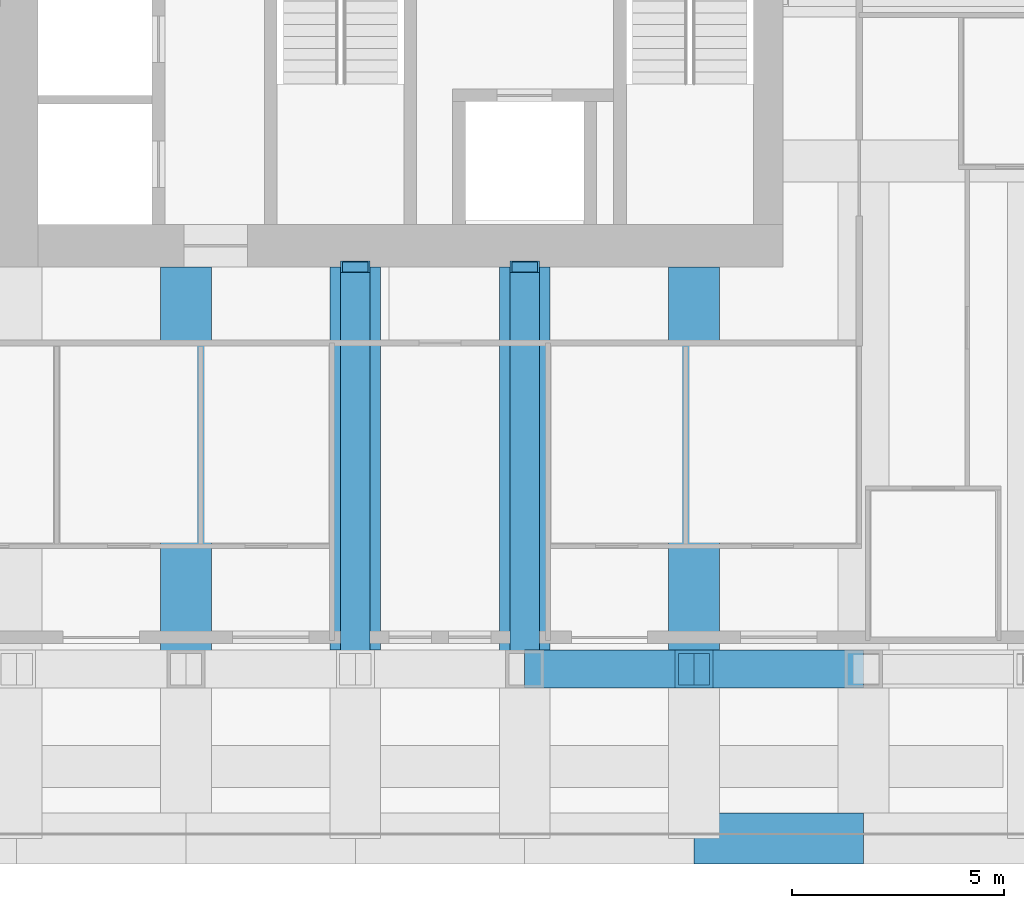
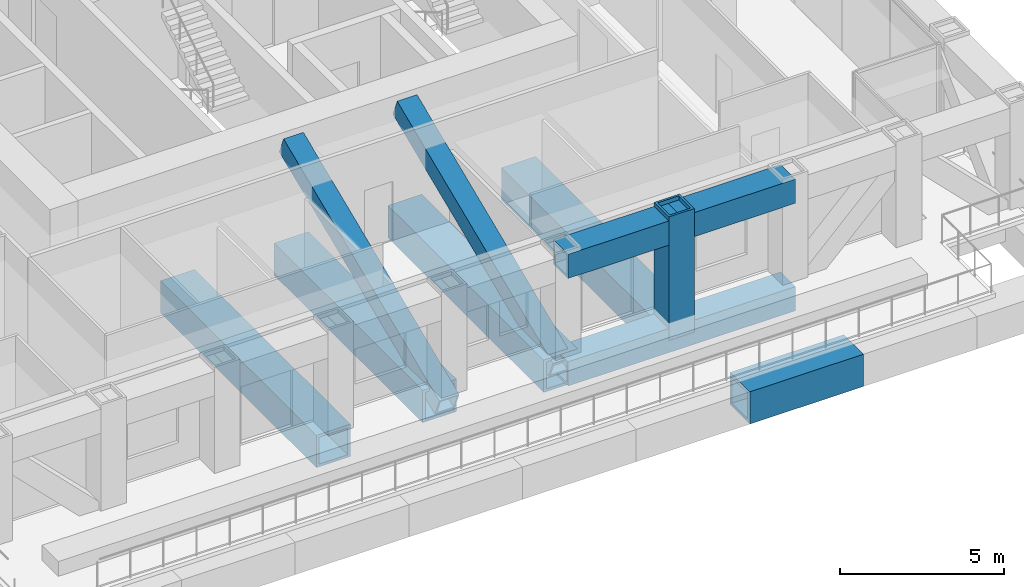
# One storey, part 3 of 16: 8 beams, 3 members.
"""IFC4 building model written with IfcOpenShell, lengths in metres."""

from ifc_helpers import new_model, si_unit, direction, frame, origin, origin_2d, place, context, subcontext, project, spatial, hollow_rectangle, extrude, material, material_profile, profile_set, type_object, element, save


model = new_model("IFC4")

# Units and contexts
model_context = context("Model", 3, precision=1e-05, world=origin(), true_north=direction((0.0, 1.0)))
body_context = subcontext(model_context, "Body", "Model", "MODEL_VIEW")
ifc_project = project(units=[si_unit("LENGTHUNIT", "METRE"), si_unit("AREAUNIT", "SQUARE_METRE"), si_unit("VOLUMEUNIT", "CUBIC_METRE"), si_unit("PLANEANGLEUNIT", "RADIAN"), si_unit("MASSUNIT", "GRAM", prefix="KILO")], contexts=[model_context])

# Site, building, storey
site_placement = place(None, origin())
site = spatial("IfcSite", under=ifc_project, at=site_placement, CompositionType="ELEMENT")
building_placement = place(site_placement, origin())
building = spatial("IfcBuilding", under=site, at=building_placement, Name="Rimbunsela Tower", CompositionType="ELEMENT")
storey_placement = place(building_placement, frame((0.0, 0.0, 171.800048828125)))
storey = spatial("IfcBuildingStorey", under=building, at=storey_placement, Name="L41", CompositionType="ELEMENT", Elevation=171.800048828125)

# Beams
ifc_material_1 = material(Name="Steel BJ 55 (fy 410 MPa)", Category="steel")
ifc_material_profile_1 = material_profile(ifc_material_1, hollow_rectangle(XDim=1.199951171875, YDim=1.199951171875, WallThickness=0.10009765625, at=origin_2d()), Name="BOX 1200x1200x100")
ifc_profile_set_1 = profile_set([ifc_material_profile_1], Name="Steel BJ 55 (fy 410 MPa)")
beam_type_1 = type_object("IfcBeamType", Name="Beam BOX 1200x1200x100", PredefinedType="BEAM", material=ifc_profile_set_1)
beam_1_placement = place(storey_placement, frame((22.0, 8.0, -0.75), z_axis=(0.0, 1.0, 0.0), x_axis=(-1.0, 0.0, 0.0)))
element("IfcBeam", 1, at=beam_1_placement, inside=storey, type_object=beam_type_1, Name="Beam B5 L41", PredefinedType="BEAM", context=body_context, shape_type="SweptSolid", body=[
    extrude(hollow_rectangle(XDim=1.199951171875, YDim=1.199951171875, WallThickness=0.10009765625, at=origin_2d()), origin(), (0.0, 0.0, 1.0), 9.5),
])
beam_2_placement = place(storey_placement, frame((26.0, 8.449951171875, -0.75), z_axis=(0.0, 1.0, 0.0), x_axis=(-1.0, 0.0, 0.0)))
element("IfcBeam", 2, at=beam_2_placement, inside=storey, type_object=beam_type_1, Name="Beam B5 L41", PredefinedType="BEAM", context=body_context, shape_type="SweptSolid", body=[
    extrude(hollow_rectangle(XDim=1.199951171875, YDim=1.199951171875, WallThickness=0.10009765625, at=origin_2d()), origin(), (0.0, 0.0, 1.0), 9.050048828125),
])
beam_3_placement = place(storey_placement, frame((30.0, 8.0, -0.75), z_axis=(0.0, 1.0, 0.0), x_axis=(-1.0, 0.0, 0.0)))
element("IfcBeam", 3, at=beam_3_placement, inside=storey, type_object=beam_type_1, Name="Beam B5 L41", PredefinedType="BEAM", context=body_context, shape_type="SweptSolid", body=[
    extrude(hollow_rectangle(XDim=1.199951171875, YDim=1.199951171875, WallThickness=0.10009765625, at=origin_2d()), origin(), (0.0, 0.0, 1.0), 9.5),
])
beam_4_placement = place(storey_placement, frame((34.0, 8.449951171875, -0.75), z_axis=(0.0, 1.0, 0.0), x_axis=(-1.0, 0.0, 0.0)))
element("IfcBeam", 4, at=beam_4_placement, inside=storey, type_object=beam_type_1, Name="Beam B5 L41", PredefinedType="BEAM", context=body_context, shape_type="SweptSolid", body=[
    extrude(hollow_rectangle(XDim=1.199951171875, YDim=1.199951171875, WallThickness=0.10009765625, at=origin_2d()), origin(), (0.0, 0.0, 1.0), 9.050048828125),
])
ifc_material_2 = material(Name="Steel BJ 55 (fy 410 MPa)", Category="steel")
ifc_material_profile_2 = material_profile(ifc_material_2, hollow_rectangle(XDim=1.199951171875, YDim=1.199951171875, WallThickness=0.125, at=origin_2d()), Name="BOX 1200x1200x125")
ifc_profile_set_2 = profile_set([ifc_material_profile_2], Name="Steel BJ 55 (fy 410 MPa)")
beam_type_2 = type_object("IfcBeamType", Name="Beam BOX 1200x1200x125", PredefinedType="BEAM", material=ifc_profile_set_2)
beam_5_placement = place(storey_placement, frame((34.0, 4.0, -0.75), z_axis=(1.0, 0.0, 0.0), x_axis=(0.0, 1.0, 0.0)))
element("IfcBeam", 5, at=beam_5_placement, inside=storey, type_object=beam_type_2, Name="Beam B4 L41", PredefinedType="BEAM", context=body_context, shape_type="SweptSolid", body=[
    extrude(hollow_rectangle(XDim=1.199951171875, YDim=1.199951171875, WallThickness=0.125, at=origin_2d()), origin(), (0.0, 0.0, 1.0), 4.0),
])

# Members
ifc_material_3 = material(Name="Steel BJ 55 (fy 410 MPa)", Category="steel")
ifc_material_profile_3 = material_profile(ifc_material_3, hollow_rectangle(XDim=0.699951171875, YDim=0.699951171875, WallThickness=0.050048828125, at=origin_2d()), Name="BOX 700x700x50")
ifc_profile_set_3 = profile_set([ifc_material_profile_3], Name="Steel BJ 55 (fy 410 MPa)")
member_type_1 = type_object("IfcMemberType", Name="Outrigger brace BOX 700x700x50", PredefinedType="BRACE", material=ifc_profile_set_3)
for number, where, z_axis, x_axis, name in (
    (6, (26.0, 8.0, -0.60009765625), (0.0, 0.921635375138, 0.388057000058), (-1.0, 0.0, 0.0), "Outrigger brace OB2 S L41"),
    (7, (30.0, 8.0, -0.60009765625), (0.0, 0.921635375138, 0.388057000058), (-1.0, 0.0, 0.0), "Outrigger brace OB2 S L41"),
):
    element("IfcMember", number, at=place(storey_placement, frame(where, z_axis=z_axis, x_axis=x_axis)), inside=storey, type_object=member_type_1, Name=name, PredefinedType="BRACE", context=body_context, shape_type="SweptSolid", body=[
        extrude(hollow_rectangle(XDim=0.699951171875, YDim=0.699951171875, WallThickness=0.050048828125, at=origin_2d()), origin(), (0.0, 0.0, 1.0), 10.307861328125),
    ])

# Beams
ifc_material_4 = material(Name="Steel BJ 55 (fy 410 MPa)", Category="steel")
ifc_material_profile_4 = material_profile(ifc_material_4, hollow_rectangle(XDim=0.89990234375, YDim=0.89990234375, WallThickness=0.080078125, at=origin_2d()), Name="BOX 900x900x80")
ifc_profile_set_4 = profile_set([ifc_material_profile_4], Name="Steel BJ 55 (fy 410 MPa)")
beam_type_3 = type_object("IfcBeamType", Name="Truss chord BOX 900x900x80", PredefinedType="USERDEFINED", material=ifc_profile_set_4)
for number, where, z_axis, x_axis, name in (
    (8, (30.0, 8.0, 3.39990234375), (1.0, 0.0, 0.0), (0.0, 1.0, 0.0), "Truss top chord TC3 S face L41"),
    (9, (34.0, 8.0, 3.39990234375), (1.0, 0.0, 0.0), (0.0, 1.0, 0.0), "Truss top chord TC3 S face L41"),
):
    element("IfcBeam", number, at=place(storey_placement, frame(where, z_axis=z_axis, x_axis=x_axis)), inside=storey, type_object=beam_type_3, Name=name, ObjectType="TRUSS CHORD", PredefinedType="USERDEFINED", context=body_context, shape_type="SweptSolid", body=[
        extrude(hollow_rectangle(XDim=0.89990234375, YDim=0.89990234375, WallThickness=0.080078125, at=origin_2d()), origin(), (0.0, 0.0, 1.0), 4.0),
    ])
beam_6_placement = place(storey_placement, frame((30.0, 8.0, -0.60009765625), z_axis=(1.0, 0.0, 0.0), x_axis=(0.0, 1.0, 0.0)))
element("IfcBeam", 10, at=beam_6_placement, inside=storey, type_object=beam_type_3, Name="Truss bottom chord TC3 S face L41", ObjectType="TRUSS CHORD", PredefinedType="USERDEFINED", context=body_context, shape_type="SweptSolid", body=[
    extrude(hollow_rectangle(XDim=0.89990234375, YDim=0.89990234375, WallThickness=0.080078125, at=origin_2d()), origin(), (0.0, 0.0, 1.0), 8.0),
])

# Member
ifc_material_5 = material(Name="Steel BJ 55 (fy 410 MPa)", Category="steel")
ifc_material_profile_5 = material_profile(ifc_material_5, hollow_rectangle(XDim=0.89990234375, YDim=0.89990234375, WallThickness=0.080078125, at=origin_2d()), Name="BOX 900x900x80")
ifc_profile_set_5 = profile_set([ifc_material_profile_5], Name="Steel BJ 55 (fy 410 MPa)")
member_type_2 = type_object("IfcMemberType", Name="Truss post BOX 900x900x80", PredefinedType="POST", material=ifc_profile_set_5)
member_placement = place(storey_placement, frame((34.0, 8.0, -0.60009765625), z_axis=(0.0, 0.0, 1.0), x_axis=(1.0, 0.0, 0.0)))
element("IfcMember", 11, at=member_placement, inside=storey, type_object=member_type_2, Name="Truss post TP3 11/D L41", PredefinedType="POST", context=body_context, shape_type="SweptSolid", body=[
    extrude(hollow_rectangle(XDim=0.89990234375, YDim=0.89990234375, WallThickness=0.080078125, at=origin_2d()), origin(), (0.0, 0.0, 1.0), 4.60009765625),
])

save(model, "model.ifc")
